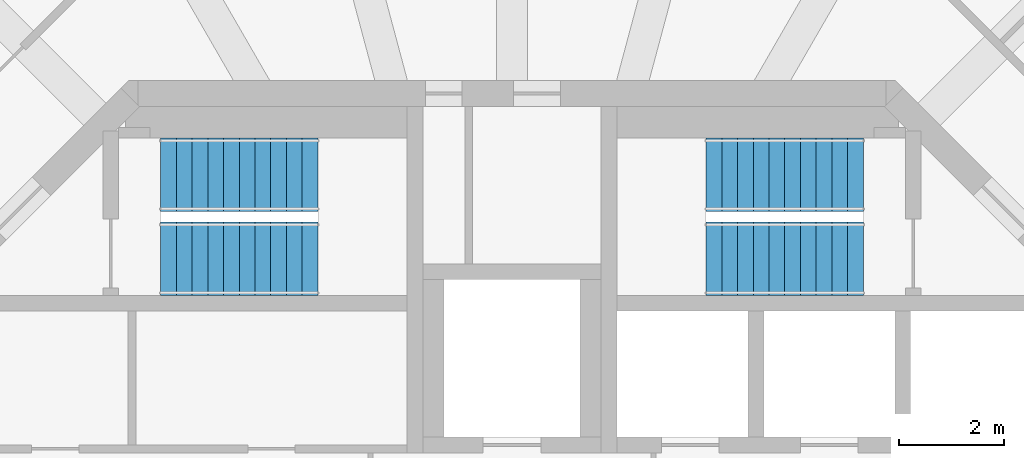
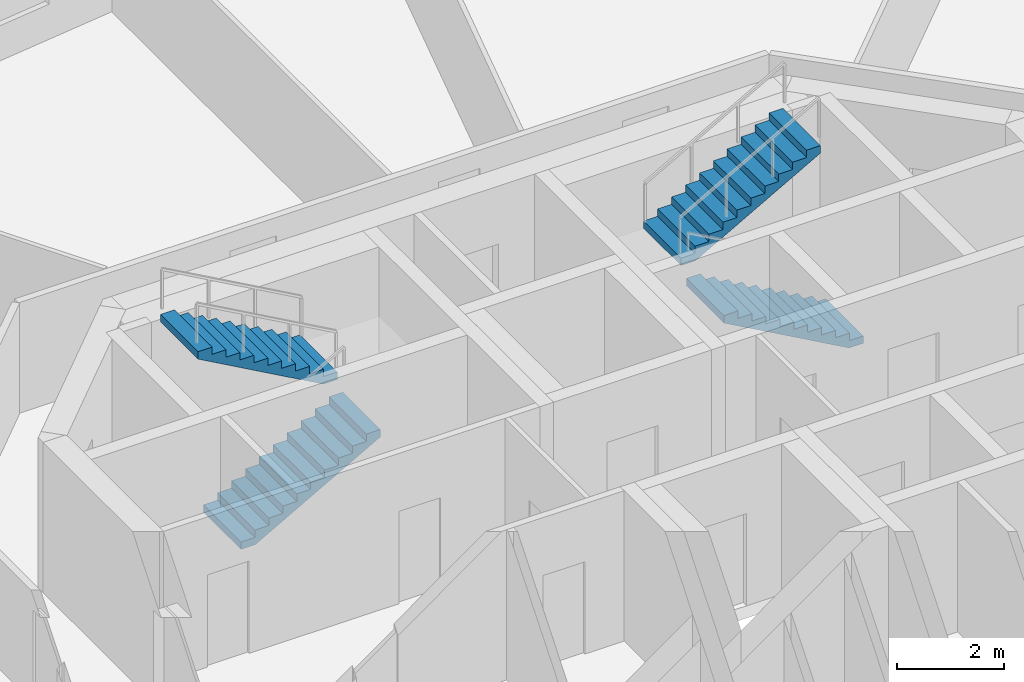
# One storey, part 7 of 9: 4 stair flights, 2 elements without a shape of their own.
"""IFC4 building model written with IfcOpenShell, lengths in metres."""

from ifc_helpers import new_model, si_unit, direction, frame, origin, place, context, subcontext, project, spatial, polyline, outline, extrude, material, type_object, element, aggregate, save


model = new_model("IFC4")

# Units and contexts
model_context = context("Model", 3, precision=1e-05, world=origin(), true_north=direction((0.0, 1.0)))
body_context = subcontext(model_context, "Body", "Model", "MODEL_VIEW")
ifc_project = project(units=[si_unit("LENGTHUNIT", "METRE"), si_unit("AREAUNIT", "SQUARE_METRE"), si_unit("VOLUMEUNIT", "CUBIC_METRE"), si_unit("PLANEANGLEUNIT", "RADIAN"), si_unit("MASSUNIT", "GRAM", prefix="KILO")], contexts=[model_context])

# Site, building, storey
site_placement = place(None, origin())
site = spatial("IfcSite", under=ifc_project, at=site_placement, CompositionType="ELEMENT")
building_placement = place(site_placement, origin())
building = spatial("IfcBuilding", under=site, at=building_placement, Name="Torre Triforio", CompositionType="ELEMENT")
storey_placement = place(building_placement, frame((0.0, 0.0, 272.300048828125)))
storey = spatial("IfcBuildingStorey", under=building, at=storey_placement, Name="L63", CompositionType="ELEMENT", Elevation=272.300048828125)

# Stair, stair flights
ifc_material = material(Name="Concrete C40", Category="concrete")
stair_type = type_object("IfcStairType", Name="STAIR HALF-TURN", PredefinedType="HALF_TURN_STAIR", material=ifc_material)
stair_1_placement = place(storey_placement, origin())
stair_1 = element("IfcStair", 1, at=stair_1_placement, inside=storey, type_object=stair_type, Name="Exit stair 1", PredefinedType="HALF_TURN_STAIR")
stair_flight_type = type_object("IfcStairFlightType", Name="STAIR FLIGHT 1400", PredefinedType="STRAIGHT", material=ifc_material)
stair_flight_1_placement = place(storey_placement, frame((-6.699951171875, 5.199951171875, 0.0), z_axis=(0.0, 0.0, 1.0), x_axis=(1.0, 0.0, 0.0)))
stair_flight_1 = element("IfcStairFlight", 2, at=stair_flight_1_placement, type_object=stair_flight_type, Name="ST1 flight 1", NumberOfRisers=11, NumberOfTreads=10, PredefinedType="STRAIGHT", RiserHeight=0.168181818, TreadLength=0.3, context=body_context, shape_type="SweptSolid", body=[
    extrude(outline(polyline([(0.0, 0.0), (0.0, 0.168212890625), (0.300048828125, 0.168212890625), (0.300048828125, 0.33642578125), (0.60009765625, 0.33642578125), (0.60009765625, 0.504638671875), (0.89990234375, 0.504638671875), (0.89990234375, 0.672607421875), (1.199951171875, 0.672607421875), (1.199951171875, 0.8408203125), (1.5, 0.8408203125), (1.5, 1.009033203125), (1.800048828125, 1.009033203125), (1.800048828125, 1.17724609375), (2.10009765625, 1.17724609375), (2.10009765625, 1.345458984375), (2.39990234375, 1.345458984375), (2.39990234375, 1.513671875), (2.699951171875, 1.513671875), (2.699951171875, 1.681884765625), (3.0, 1.681884765625), (3.0, 1.85009765625), (3.0, 1.510009765625), (0.306640625, 0.0), (0.0, 0.0)])), frame((0.0, 0.699951171875, 0.0), z_axis=(0.0, -1.0, 0.0), x_axis=(1.0, 0.0, 0.0)), (0.0, 0.0, 1.0), 1.39990234375),
])
stair_flight_2_placement = place(storey_placement, frame((-3.699951171875, 6.800048828125, 1.849853515625), z_axis=(0.0, 0.0, 1.0), x_axis=(-1.0, 0.0, 0.0)))
stair_flight_2 = element("IfcStairFlight", 3, at=stair_flight_2_placement, type_object=stair_flight_type, Name="ST1 flight 2", NumberOfRisers=11, NumberOfTreads=10, PredefinedType="STRAIGHT", RiserHeight=0.168181818, TreadLength=0.3, context=body_context, shape_type="SweptSolid", body=[
    extrude(outline(polyline([(0.0, 0.0), (0.0, 0.168212890625), (0.300048828125, 0.168212890625), (0.300048828125, 0.33642578125), (0.60009765625, 0.33642578125), (0.60009765625, 0.504638671875), (0.89990234375, 0.504638671875), (0.89990234375, 0.672607421875), (1.199951171875, 0.672607421875), (1.199951171875, 0.8408203125), (1.5, 0.8408203125), (1.5, 1.009033203125), (1.800048828125, 1.009033203125), (1.800048828125, 1.17724609375), (2.10009765625, 1.17724609375), (2.10009765625, 1.345458984375), (2.39990234375, 1.345458984375), (2.39990234375, 1.513671875), (2.699951171875, 1.513671875), (2.699951171875, 1.681884765625), (3.0, 1.681884765625), (3.0, 1.85009765625), (3.0, 1.510009765625), (0.306640625, 0.0), (0.0, 0.0)])), frame((0.0, 0.699951171875, 0.0), z_axis=(0.0, -1.0, 0.0), x_axis=(1.0, 0.0, 0.0)), (0.0, 0.0, 1.0), 1.39990234375),
])
aggregate(stair_1, [stair_flight_1, stair_flight_2])

stair_2_placement = place(storey_placement, origin())
stair_2 = element("IfcStair", 4, at=stair_2_placement, inside=storey, type_object=stair_type, Name="Exit stair 2", PredefinedType="HALF_TURN_STAIR")
stair_flight_3_placement = place(storey_placement, frame((6.699951171875, 5.199951171875, 0.0), z_axis=(0.0, 0.0, 1.0), x_axis=(-1.0, 0.0, 0.0)))
stair_flight_3 = element("IfcStairFlight", 5, at=stair_flight_3_placement, type_object=stair_flight_type, Name="ST2 flight 1", NumberOfRisers=11, NumberOfTreads=10, PredefinedType="STRAIGHT", RiserHeight=0.168181818, TreadLength=0.3, context=body_context, shape_type="SweptSolid", body=[
    extrude(outline(polyline([(0.0, 0.0), (0.0, 0.168212890625), (0.300048828125, 0.168212890625), (0.300048828125, 0.33642578125), (0.60009765625, 0.33642578125), (0.60009765625, 0.504638671875), (0.89990234375, 0.504638671875), (0.89990234375, 0.672607421875), (1.199951171875, 0.672607421875), (1.199951171875, 0.8408203125), (1.5, 0.8408203125), (1.5, 1.009033203125), (1.800048828125, 1.009033203125), (1.800048828125, 1.17724609375), (2.10009765625, 1.17724609375), (2.10009765625, 1.345458984375), (2.39990234375, 1.345458984375), (2.39990234375, 1.513671875), (2.699951171875, 1.513671875), (2.699951171875, 1.681884765625), (3.0, 1.681884765625), (3.0, 1.85009765625), (3.0, 1.510009765625), (0.306640625, 0.0), (0.0, 0.0)])), frame((0.0, 0.699951171875, 0.0), z_axis=(0.0, -1.0, 0.0), x_axis=(1.0, 0.0, 0.0)), (0.0, 0.0, 1.0), 1.39990234375),
])
stair_flight_4_placement = place(storey_placement, frame((3.699951171875, 6.800048828125, 1.849853515625), z_axis=(0.0, 0.0, 1.0), x_axis=(1.0, 0.0, 0.0)))
stair_flight_4 = element("IfcStairFlight", 6, at=stair_flight_4_placement, type_object=stair_flight_type, Name="ST2 flight 2", NumberOfRisers=11, NumberOfTreads=10, PredefinedType="STRAIGHT", RiserHeight=0.168181818, TreadLength=0.3, context=body_context, shape_type="SweptSolid", body=[
    extrude(outline(polyline([(0.0, 0.0), (0.0, 0.168212890625), (0.300048828125, 0.168212890625), (0.300048828125, 0.33642578125), (0.60009765625, 0.33642578125), (0.60009765625, 0.504638671875), (0.89990234375, 0.504638671875), (0.89990234375, 0.672607421875), (1.199951171875, 0.672607421875), (1.199951171875, 0.8408203125), (1.5, 0.8408203125), (1.5, 1.009033203125), (1.800048828125, 1.009033203125), (1.800048828125, 1.17724609375), (2.10009765625, 1.17724609375), (2.10009765625, 1.345458984375), (2.39990234375, 1.345458984375), (2.39990234375, 1.513671875), (2.699951171875, 1.513671875), (2.699951171875, 1.681884765625), (3.0, 1.681884765625), (3.0, 1.85009765625), (3.0, 1.510009765625), (0.306640625, 0.0), (0.0, 0.0)])), frame((0.0, 0.699951171875, 0.0), z_axis=(0.0, -1.0, 0.0), x_axis=(1.0, 0.0, 0.0)), (0.0, 0.0, 1.0), 1.39990234375),
])
aggregate(stair_2, [stair_flight_3, stair_flight_4])

save(model, "model.ifc")
